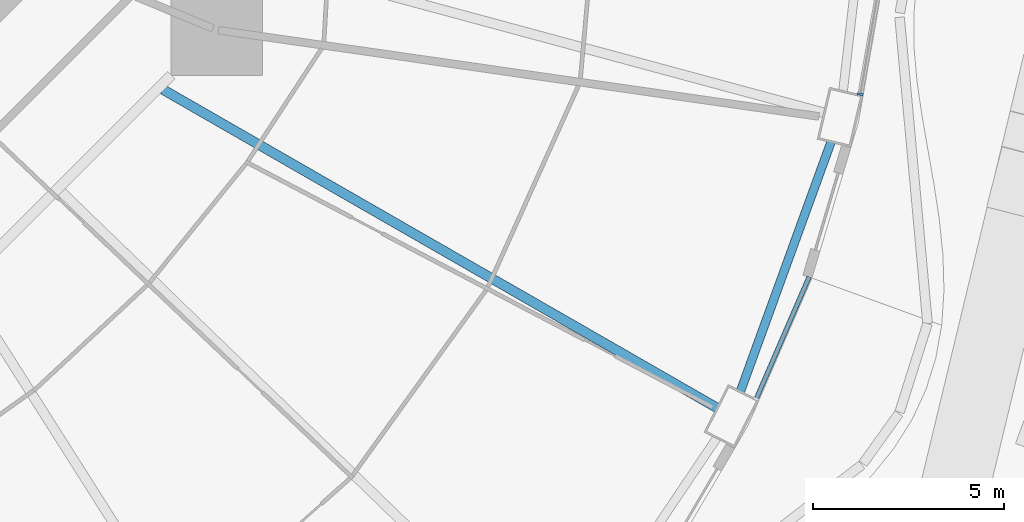
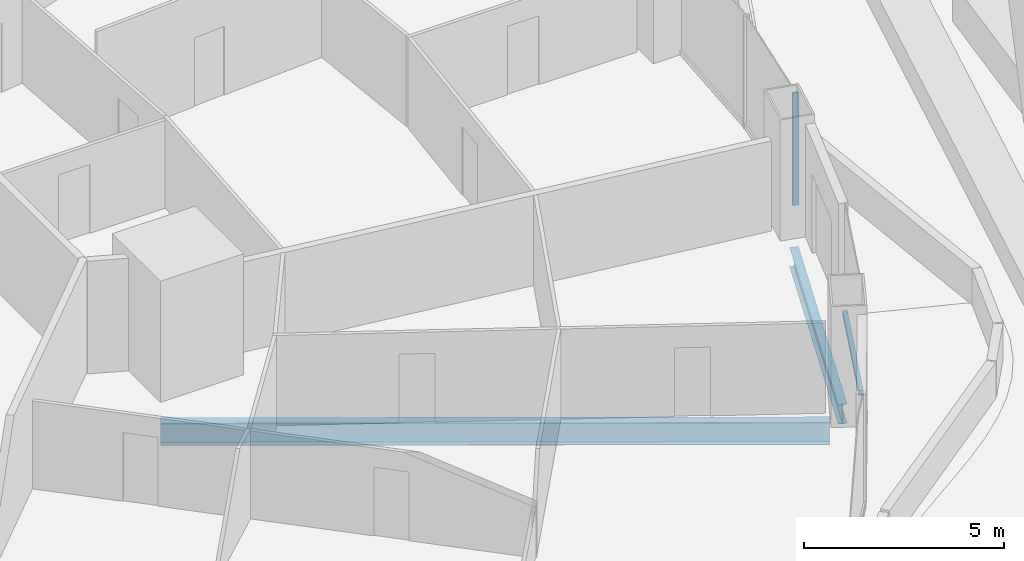
# One storey, part 15 of 42: 2 beams, 2 members, 2 elements without a shape of their own.
"""IFC4 building model written with IfcOpenShell, lengths in metres."""

import ifcopenshell
import ifcopenshell.guid

model = None  # the IFC model being written
_history = None  # IfcOwnerHistory: only IFC2X3 demands one
_inside = {}  # id of a spatial element -> (the spatial element, [elements in it])
_under = {}  # id of a project, library or spatial element -> (it, [spatial elements below it])
_declared = {}  # id of a project -> (the project, [libraries it declares])
_typed = {}  # id of a type object -> (the type object, [elements of that type])
_made_of = {}  # id of a material, layer set ... -> (it, [elements and type objects made of it])


def new_model(schema):
    """Start an empty IFC model of exactly this schema.

    Asked for "IFC4X3", IfcOpenShell would pick the latest addendum, in which some entities
    have other attributes; the version numbers below select the first issue.
    IFC2X3 requires an IfcOwnerHistory on every rooted entity: one is made here for all.
    """
    global model, _history
    if schema == "IFC4X3":
        model = ifcopenshell.file(schema_version=(4, 3, 0, 0))
    else:
        model = ifcopenshell.file(schema=schema)
    _inside.clear()
    _under.clear()
    _declared.clear()
    _typed.clear()
    _made_of.clear()
    _history = None
    if model.schema == "IFC2X3":
        org = make("IfcOrganization", Name="unknown")
        user = make(
            "IfcPersonAndOrganization",
            ThePerson=make("IfcPerson", FamilyName="unknown"),
            TheOrganization=org,
        )
        app = make(
            "IfcApplication",
            ApplicationDeveloper=org,
            Version="unknown",
            ApplicationFullName="unknown",
            ApplicationIdentifier="unknown",
        )
        _history = make(
            "IfcOwnerHistory",
            OwningUser=user,
            OwningApplication=app,
            ChangeAction="ADDED",
            CreationDate=0,
        )
    return model


def make(cls, **values):
    """One entity of the class cls with the attributes given. An attribute that is None is left unset."""
    return model.create_entity(
        cls, **{name: value for name, value in values.items() if value is not None}
    )


def rooted(cls, **values):
    """An entity with a GlobalId (a new one), such as an element, a storey or a relation."""
    return make(cls, GlobalId=ifcopenshell.guid.new(), OwnerHistory=_history, **values)


def si_unit(unit_type, name, prefix=None):
    """IfcSIUnit, for example si_unit("LENGTHUNIT", "METRE", prefix="MILLI")."""
    return make("IfcSIUnit", UnitType=unit_type, Prefix=prefix, Name=name)


def assignment(units):
    """IfcUnitAssignment: the units of a project."""
    return None if units is None else make("IfcUnitAssignment", Units=units)


def point(xyz):
    """IfcCartesianPoint."""
    return None if xyz is None else make("IfcCartesianPoint", Coordinates=xyz)


def direction(xyz):
    """IfcDirection."""
    return None if xyz is None else make("IfcDirection", DirectionRatios=xyz)


def frame(location, z_axis=None, x_axis=None):
    """IfcAxis2Placement3D, a coordinate frame: its origin and axes. An axis left out is left unset."""
    return make(
        "IfcAxis2Placement3D",
        Location=point(location),
        Axis=direction(z_axis),
        RefDirection=direction(x_axis),
    )


def frame_2d(location, x_axis=None):
    """IfcAxis2Placement2D, a coordinate frame in the plane: its origin and x axis."""
    return make(
        "IfcAxis2Placement2D", Location=point(location), RefDirection=direction(x_axis)
    )


def origin():
    """The frame at (0, 0, 0) with its axes left unset."""
    return frame((0.0, 0.0, 0.0))


def origin_2d():
    """The frame at (0, 0) in the plane with its x axis left unset."""
    return frame_2d((0.0, 0.0))


def place(relative_to, where):
    """IfcLocalPlacement: puts the frame where relative to a parent placement (None: the world)."""
    return make(
        "IfcLocalPlacement", PlacementRelTo=relative_to, RelativePlacement=where
    )


def context(
    kind, dimensions, precision=None, world=None, true_north=None, identifier=None
):
    """IfcGeometricRepresentationContext, for example the 3D "Model" context."""
    return make(
        "IfcGeometricRepresentationContext",
        ContextIdentifier=identifier,
        ContextType=kind,
        CoordinateSpaceDimension=dimensions,
        Precision=precision,
        WorldCoordinateSystem=world,
        TrueNorth=true_north,
    )


def subcontext(parent, identifier, kind, view, scale=None):
    """IfcGeometricRepresentationSubContext, for example "Body" below "Model"."""
    return make(
        "IfcGeometricRepresentationSubContext",
        ContextIdentifier=identifier,
        ContextType=kind,
        ParentContext=parent,
        TargetScale=scale,
        TargetView=view,
    )


def project(units=None, contexts=None):
    """IfcProject with its units and contexts."""
    return rooted(
        "IfcProject",
        Name="project",
        RepresentationContexts=contexts,
        UnitsInContext=assignment(units),
    )


def spatial(cls, under=None, at=None, **own):
    """A site, building, storey or space (cls), placed at a placement, below another one or the project."""
    s = rooted(cls, ObjectPlacement=at, **own)
    if under is not None:
        _under.setdefault(under.id(), (under, []))[1].append(s)
    return s


def profile(cls, at=None, kind="AREA", **sizes):
    """A parametric profile (cls). Its sizes go by their IFC names, for example OverallWidth=200.0."""
    return make(cls, ProfileType=kind, Position=at, **sizes)


def rectangle(**sizes):
    """IfcRectangleProfileDef."""
    return profile("IfcRectangleProfileDef", **sizes)


def i_section(**sizes):
    """IfcIShapeProfileDef."""
    return profile("IfcIShapeProfileDef", **sizes)


def extrude(swept, where, along, depth):
    """IfcExtrudedAreaSolid: the profile swept, set in the frame where, extruded along a direction by depth."""
    return make(
        "IfcExtrudedAreaSolid",
        SweptArea=swept,
        Position=where,
        ExtrudedDirection=direction(along),
        Depth=depth,
    )


def shape(context_of_items, identifier, shape_type, items):
    """IfcShapeRepresentation: the items that make up one representation, for example the "Body"."""
    return make(
        "IfcShapeRepresentation",
        ContextOfItems=context_of_items,
        RepresentationIdentifier=identifier,
        RepresentationType=shape_type,
        Items=items,
    )


def material(Name=None, Category=None):
    """IfcMaterial."""
    return make("IfcMaterial", Name=Name, Category=Category)


def layer(
    of_material, thickness, ventilated=None, Name=None, Category=None, Priority=None
):
    """IfcMaterialLayer: one layer of a wall or slab, of a material (None: an air gap)."""
    return make(
        "IfcMaterialLayer",
        Material=of_material,
        LayerThickness=thickness,
        IsVentilated=ventilated,
        Name=Name,
        Category=Category,
        Priority=Priority,
    )


def layer_set(layers, Name=None):
    """IfcMaterialLayerSet."""
    return make("IfcMaterialLayerSet", MaterialLayers=layers, LayerSetName=Name)


def material_profile(
    of_material, cross_section, Name=None, Category=None, Priority=None
):
    """IfcMaterialProfile: a cross section and its material."""
    return make(
        "IfcMaterialProfile",
        Name=Name,
        Material=of_material,
        Profile=cross_section,
        Priority=Priority,
        Category=Category,
    )


def profile_set(profiles, Name=None, composite=None):
    """IfcMaterialProfileSet."""
    return make(
        "IfcMaterialProfileSet",
        Name=Name,
        MaterialProfiles=profiles,
        CompositeProfile=composite,
    )


def made_of(thing, what):
    """Note that an element or type object is made of a material, layer set ...; save() writes the relation."""
    if what is not None:
        _made_of.setdefault(what.id(), (what, []))[1].append(thing)
    return thing


def type_object(cls, material=None, **own):
    """A type object (cls), such as IfcWallType, which elements share."""
    return made_of(rooted(cls, **own), material)


def element(
    cls,
    number,
    at=None,
    inside=None,
    cuts=None,
    type_object=None,
    material=None,
    context=None,
    identifier="Body",
    shape_type=None,
    held_by="IfcProductDefinitionShape",
    body=None,
    shapes=None,
    **own,
):
    """One element of the class cls, such as IfcWall. Its Tag is "e" and its number.

    at: its placement. inside: the storey or other place that contains it. cuts: it is an
    opening in that element (IfcRelVoidsElement). A single representation is given by context,
    identifier, shape_type and body (its items); several are given by shapes. held_by: the class
    of the entity that holds the representations. save() writes the other relations.
    """
    e = rooted(cls, Tag="e%d" % number, ObjectPlacement=at, **own)
    if body is not None:
        shapes = [shape(context, identifier, shape_type, body)]
    if shapes is not None:
        e.Representation = make(held_by, Representations=shapes)
    if inside is not None:
        _inside.setdefault(inside.id(), (inside, []))[1].append(e)
    if cuts is not None:
        rooted(
            "IfcRelVoidsElement", RelatingBuildingElement=cuts, RelatedOpeningElement=e
        )
    if type_object is not None:
        _typed.setdefault(type_object.id(), (type_object, []))[1].append(e)
    return made_of(e, material)


def aggregate(whole, parts):
    """IfcRelAggregates: a whole, such as a stair, and the parts it consists of."""
    return rooted("IfcRelAggregates", RelatingObject=whole, RelatedObjects=parts)


def save(model, path):
    """Write the relations noted so far, then the file.

    IfcRelAggregates (storeys below a building ...), IfcRelContainedInSpatialStructure (elements
    in a storey), IfcRelDefinesByType, IfcRelAssociatesMaterial and IfcRelDeclares: one each for
    every whole, place, type object, material and project.
    """
    for whole, parts in _under.values():
        aggregate(whole, parts)
    for where, things in _inside.values():
        rooted(
            "IfcRelContainedInSpatialStructure",
            RelatedElements=things,
            RelatingStructure=where,
        )
    for kind, things in _typed.values():
        rooted("IfcRelDefinesByType", RelatedObjects=things, RelatingType=kind)
    for what, things in _made_of.values():
        rooted("IfcRelAssociatesMaterial", RelatedObjects=things, RelatingMaterial=what)
    for by, libraries in _declared.values():
        rooted("IfcRelDeclares", RelatingContext=by, RelatedDefinitions=libraries)
    model.write(path)


model = new_model("IFC4")

# Units and contexts
model_context = context("Model", 3, precision=1e-05, world=origin(), true_north=direction((0.0, 1.0)))
body_context = subcontext(model_context, "Body", "Model", "MODEL_VIEW")
ifc_project = project(units=[si_unit("LENGTHUNIT", "METRE"), si_unit("AREAUNIT", "SQUARE_METRE"), si_unit("VOLUMEUNIT", "CUBIC_METRE"), si_unit("PLANEANGLEUNIT", "RADIAN"), si_unit("MASSUNIT", "GRAM", prefix="KILO")], contexts=[model_context])

# Site, building, storey
site_placement = place(None, origin())
site = spatial("IfcSite", under=ifc_project, at=site_placement, CompositionType="ELEMENT")
building_placement = place(site_placement, origin())
building = spatial("IfcBuilding", under=site, at=building_placement, Name="Nagisa Residences", CompositionType="ELEMENT")
storey_placement = place(building_placement, frame((0.0, 0.0, 27.0)))
storey = spatial("IfcBuildingStorey", under=building, at=storey_placement, Name="L05", CompositionType="ELEMENT", Elevation=27.0)

# Curtain wall, member
ifc_material_1 = material(Name="Concrete-coloured aluminium curtain wall system", Category="concrete")
ifc_layer = layer(ifc_material_1, 0.159912109375)
ifc_layer_set = layer_set([ifc_layer], Name="CW1 CURTAIN WALL")
curtain_wall_type = type_object("IfcCurtainWallType", Name="CW1 CURTAIN WALL", PredefinedType="NOTDEFINED", material=ifc_layer_set)
curtain_wall_1_placement = place(storey_placement, origin())
curtain_wall_1 = element("IfcCurtainWall", 1, at=curtain_wall_1_placement, inside=storey, type_object=curtain_wall_type, Name="cw:CW1:L05:46", PredefinedType="NOTDEFINED")
ifc_material_2 = material(Name="Concrete-coloured aluminium", Category="concrete")
ifc_material_profile_1 = material_profile(ifc_material_2, rectangle(XDim=0.159912109375, YDim=0.06005859375, at=origin_2d()), Name="CW1 MULLION 160x60")
ifc_profile_set_1 = profile_set([ifc_material_profile_1], Name="Concrete-coloured aluminium")
member_type_1 = type_object("IfcMemberType", Name="CW1 MULLION 160x60", PredefinedType="MULLION", material=ifc_profile_set_1)
member_1_placement = place(storey_placement, frame((31.65869140625, -7.80810546875, 0.0), z_axis=(0.0, 0.0, 1.0), x_axis=(-0.985063604377, 0.172190868898, 0.0)))
member_1 = element("IfcMember", 2, at=member_1_placement, type_object=member_type_1, Name="CW1 mullion", PredefinedType="MULLION", context=body_context, shape_type="SweptSolid", body=[
    extrude(rectangle(XDim=0.159912109375, YDim=0.06005859375, at=origin_2d()), origin(), (0.0, 0.0, 1.0), 3.43994140625),
])
aggregate(curtain_wall_1, [member_1])

curtain_wall_2_placement = place(storey_placement, origin())
curtain_wall_2 = element("IfcCurtainWall", 3, at=curtain_wall_2_placement, inside=storey, type_object=curtain_wall_type, Name="cw:CW1:L05:44", PredefinedType="NOTDEFINED")
ifc_material_3 = material(Name="Concrete-coloured aluminium", Category="concrete")
ifc_material_profile_2 = material_profile(ifc_material_3, rectangle(XDim=0.1201171875, YDim=0.14990234375, at=origin_2d()), Name="CW1 TRANSOM 120x150")
ifc_profile_set_2 = profile_set([ifc_material_profile_2], Name="Concrete-coloured aluminium")
member_type_2 = type_object("IfcMemberType", Name="CW1 TRANSOM 120x150", PredefinedType="USERDEFINED", material=ifc_profile_set_2)
member_2_placement = place(storey_placement, frame((28.919677734375, -15.825927734375, 0.074951171875), z_axis=(0.397624958345, 0.917548032803, 0.0), x_axis=(-0.917548032803, 0.397624958345, 0.0)))
member_2 = element("IfcMember", 4, at=member_2_placement, type_object=member_type_2, Name="CW1 transom", ObjectType="TRANSOM", PredefinedType="USERDEFINED", context=body_context, shape_type="SweptSolid", body=[
    extrude(rectangle(XDim=0.1201171875, YDim=0.14990234375, at=origin_2d()), origin(), (0.0, 0.0, 1.0), 3.51953125),
])
aggregate(curtain_wall_2, [member_2])

# Beams
ifc_material_4 = material(Name="Steel ASTM A572 Gr 50", Category="steel")
ifc_material_profile_3 = material_profile(ifc_material_4, i_section(OverallWidth=0.22802734375, OverallDepth=0.60302734375, WebThickness=0.010498046875, FlangeThickness=0.014892578125, at=origin_2d()), Name="W610x101")
ifc_profile_set_3 = profile_set([ifc_material_profile_3], Name="Steel ASTM A572 Gr 50")
beam_type_1 = type_object("IfcBeamType", Name="Perimeter ring beam W610x101", PredefinedType="BEAM", material=ifc_profile_set_3)
beam_1_placement = place(storey_placement, frame((28.515625, -15.60595703125, -0.5615234375), z_axis=(0.341411143183, 0.939914055279, 0.0), x_axis=(-0.939914055279, 0.341411143183, 0.0)))
element("IfcBeam", 5, at=beam_1_placement, inside=storey, type_object=beam_type_1, Name="beam:L05:pb23", PredefinedType="BEAM", context=body_context, shape_type="SweptSolid", body=[
    extrude(i_section(OverallWidth=0.22802734375, OverallDepth=0.60302734375, WebThickness=0.010498046875, FlangeThickness=0.014892578125, at=origin_2d()), origin(), (0.0, 0.0, 1.0), 6.96923828125),
])
ifc_material_5 = material(Name="Steel ASTM A572 Gr 50", Category="steel")
ifc_material_profile_4 = material_profile(ifc_material_5, i_section(OverallWidth=0.25390625, OverallDepth=0.68408203125, WebThickness=0.012451171875, FlangeThickness=0.018798828125, at=origin_2d()), Name="W690x140")
ifc_profile_set_4 = profile_set([ifc_material_profile_4], Name="Steel ASTM A572 Gr 50")
beam_type_2 = type_object("IfcBeamType", Name="Radial beam W690x140", PredefinedType="BEAM", material=ifc_profile_set_4)
beam_2_placement = place(storey_placement, frame((27.908447265625, -16.035400390625, -0.60205078125), z_axis=(-0.867068052258, 0.498189715623, 0.0), x_axis=(-0.498189715623, -0.867068052258, 0.0)))
element("IfcBeam", 6, at=beam_2_placement, inside=storey, type_object=beam_type_2, Name="beam:L05:rb23", PredefinedType="BEAM", context=body_context, shape_type="SweptSolid", body=[
    extrude(i_section(OverallWidth=0.25390625, OverallDepth=0.68408203125, WebThickness=0.012451171875, FlangeThickness=0.018798828125, at=origin_2d()), origin(), (0.0, 0.0, 1.0), 16.758056640625),
])

save(model, "model.ifc")
